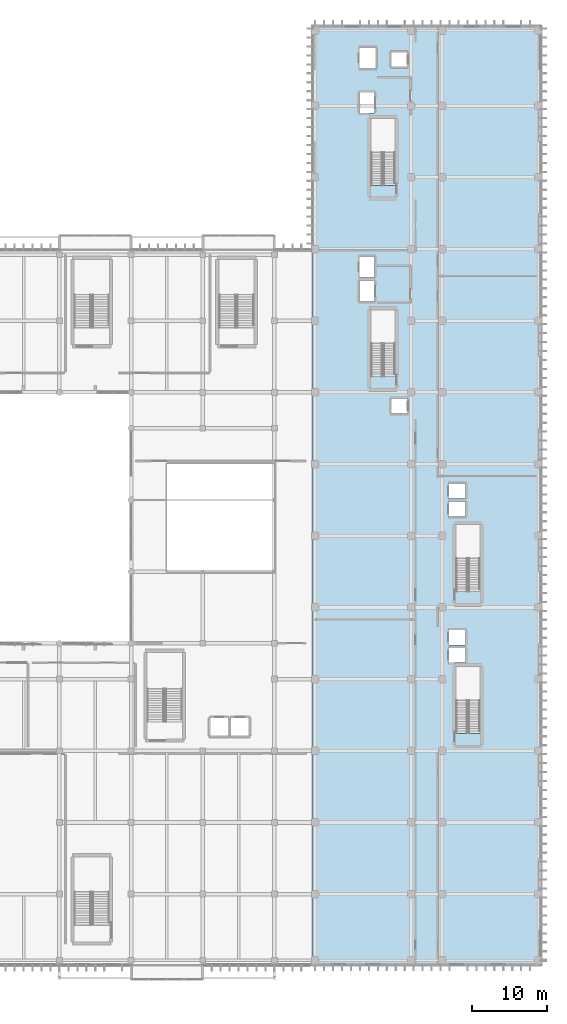
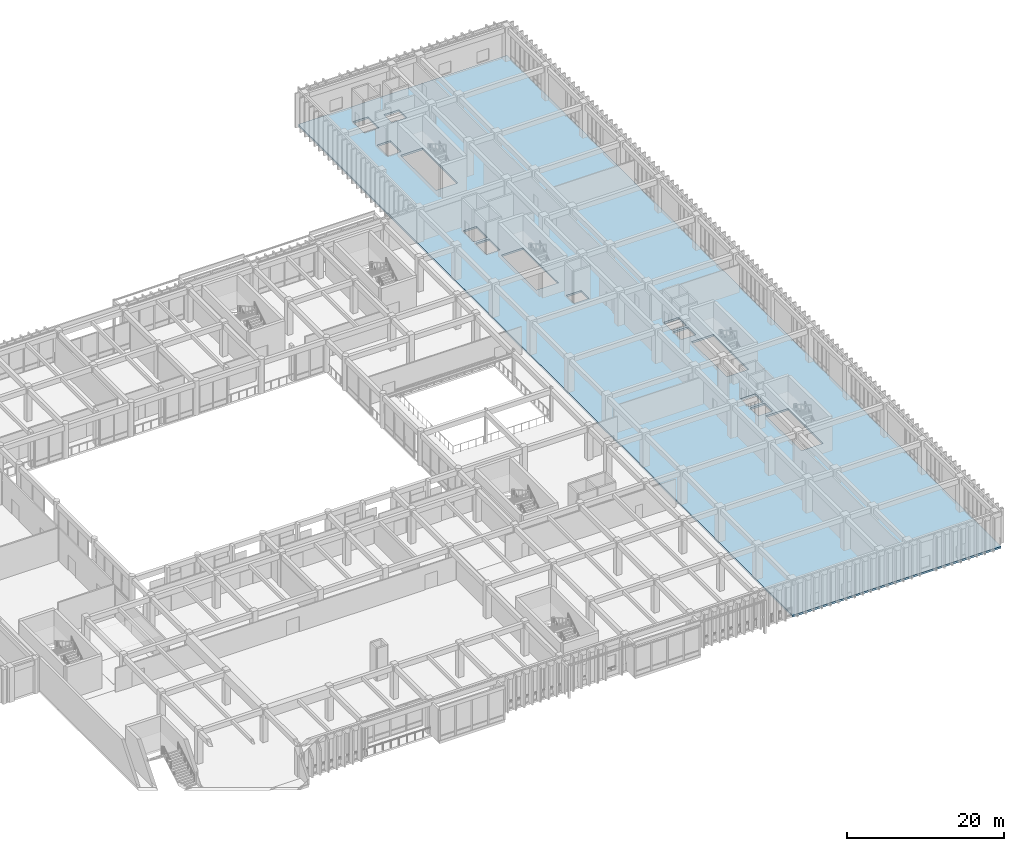
# One storey, part 98 of 134: 1 slab.
"""IFC4 building model written with IfcOpenShell, lengths in metres."""

from ifc_helpers import new_model, si_unit, direction, frame, origin, place, context, subcontext, project, spatial, polyline, outline, extrude, material, layer, layer_set, type_object, element, save


model = new_model("IFC4")

# Units and contexts
model_context = context("Model", 3, precision=1e-05, world=origin(), true_north=direction((0.0, 1.0)))
body_context = subcontext(model_context, "Body", "Model", "MODEL_VIEW")
ifc_project = project(units=[si_unit("LENGTHUNIT", "METRE"), si_unit("AREAUNIT", "SQUARE_METRE"), si_unit("VOLUMEUNIT", "CUBIC_METRE"), si_unit("PLANEANGLEUNIT", "RADIAN"), si_unit("MASSUNIT", "GRAM", prefix="KILO")], contexts=[model_context])

# Site, building, storey
site_placement = place(None, origin())
site = spatial("IfcSite", under=ifc_project, at=site_placement, CompositionType="ELEMENT")
building_placement = place(site_placement, origin())
building = spatial("IfcBuilding", under=site, at=building_placement, Name="Nakhvara Creek Congress Hotel", CompositionType="ELEMENT")
storey_placement = place(building_placement, frame((0.0, 0.0, 6.0)))
storey = spatial("IfcBuildingStorey", under=building, at=storey_placement, Name="L01", CompositionType="ELEMENT", Elevation=6.0)

# Slab
ifc_material = material(Name="Concrete C40/50", Category="concrete")
ifc_layer = layer(ifc_material, 0.300048828125)
ifc_layer_set = layer_set([ifc_layer], Name="Concrete C40/50")
slab_type = type_object("IfcSlabType", Name="SL-FLR-300", PredefinedType="FLOOR", material=ifc_layer_set)
slab_placement = place(storey_placement, frame((0.0, 0.0, -0.300048828125)))
element("IfcSlab", 1, at=slab_placement, inside=storey, type_object=slab_type, Name="Structural Slab SLB-L01-V5", PredefinedType="FLOOR", context=body_context, shape_type="SweptSolid", body=[
    extrude(outline(polyline([(149.050048828125, 126.0), (179.75, 126.0), (179.75, 0.0), (149.050048828125, 0.0), (149.050048828125, 126.0)]), holes=[polyline([(161.800048828125, 74.0), (161.800048828125, 76.0), (159.60009765625, 76.0), (159.60009765625, 74.0), (161.800048828125, 74.0)]), polyline([(160.14990234375, 78.93994140625), (160.14990234375, 87.89990234375), (156.919921875, 87.89990234375), (156.919921875, 78.93994140625), (160.14990234375, 78.93994140625)]), polyline([(155.39990234375, 89.0), (157.39990234375, 89.0), (157.39990234375, 91.800048828125), (155.39990234375, 91.800048828125), (155.39990234375, 89.0)]), polyline([(155.39990234375, 92.199951171875), (157.39990234375, 92.199951171875), (157.39990234375, 95.0), (155.39990234375, 95.0), (155.39990234375, 92.199951171875)]), polyline([(160.14990234375, 104.5400390625), (160.14990234375, 113.5), (156.919921875, 113.5), (156.919921875, 104.5400390625), (160.14990234375, 104.5400390625)]), polyline([(155.39990234375, 114.199951171875), (157.39990234375, 114.199951171875), (157.39990234375, 117.0), (155.39990234375, 117.0), (155.39990234375, 114.199951171875)]), polyline([(155.39990234375, 120.199951171875), (157.60009765625, 120.199951171875), (157.60009765625, 123.0), (155.39990234375, 123.0), (155.39990234375, 120.199951171875)]), polyline([(171.550048828125, 40.10009765625), (168.320068359375, 40.10009765625), (168.320068359375, 31.139892578125), (171.550048828125, 31.139892578125), (171.550048828125, 40.10009765625)]), polyline([(167.39990234375, 40.60009765625), (169.60009765625, 40.60009765625), (169.60009765625, 42.60009765625), (167.39990234375, 42.60009765625), (167.39990234375, 40.60009765625)]), polyline([(167.39990234375, 43.0), (169.60009765625, 43.0), (169.60009765625, 45.0), (167.39990234375, 45.0), (167.39990234375, 43.0)]), polyline([(171.550048828125, 50.139892578125), (171.550048828125, 59.10009765625), (168.320068359375, 59.10009765625), (168.320068359375, 50.139892578125), (171.550048828125, 50.139892578125)]), polyline([(167.39990234375, 60.199951171875), (169.60009765625, 60.199951171875), (169.60009765625, 62.199951171875), (167.39990234375, 62.199951171875), (167.39990234375, 60.199951171875)]), polyline([(167.39990234375, 62.60009765625), (169.60009765625, 62.60009765625), (169.60009765625, 64.60009765625), (167.39990234375, 64.60009765625), (167.39990234375, 62.60009765625)]), polyline([(159.60009765625, 120.39990234375), (161.800048828125, 120.39990234375), (161.800048828125, 122.39990234375), (159.60009765625, 122.39990234375), (159.60009765625, 120.39990234375)])]), origin(), (0.0, 0.0, 1.0), 0.300048828125),
])

save(model, "model.ifc")
